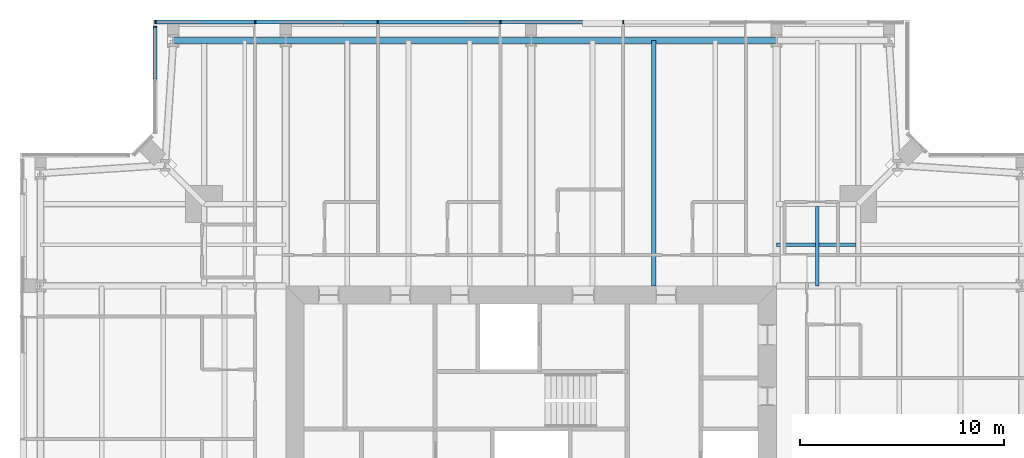
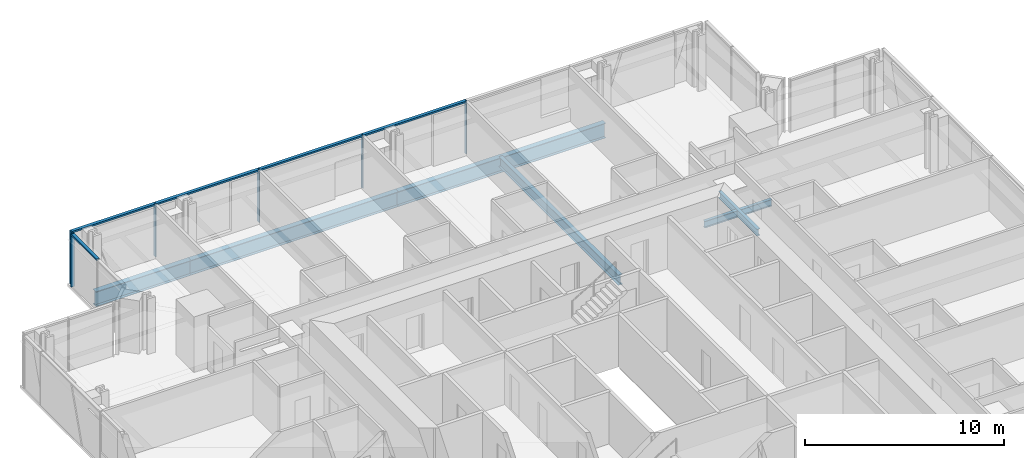
# One storey, part 8 of 20: 11 members, 7 beams, 2 elements without a shape of their own.
"""IFC4 building model written with IfcOpenShell, lengths in metres."""

from ifc_helpers import new_model, si_unit, direction, frame, origin, origin_2d, place, context, subcontext, project, spatial, rectangle, i_section, extrude, material, material_profile, profile_set, type_object, element, aggregate, save


model = new_model("IFC4")

# Units and contexts
model_context = context("Model", 3, precision=1e-05, world=origin(), true_north=direction((0.0, 1.0)))
body_context = subcontext(model_context, "Body", "Model", "MODEL_VIEW")
ifc_project = project(units=[si_unit("LENGTHUNIT", "METRE"), si_unit("AREAUNIT", "SQUARE_METRE"), si_unit("VOLUMEUNIT", "CUBIC_METRE"), si_unit("PLANEANGLEUNIT", "RADIAN"), si_unit("MASSUNIT", "GRAM", prefix="KILO")], contexts=[model_context])

# Site, building, storey
site_placement = place(None, origin())
site = spatial("IfcSite", under=ifc_project, at=site_placement, CompositionType="ELEMENT")
building_placement = place(site_placement, origin())
building = spatial("IfcBuilding", under=site, at=building_placement, Name="Fenwick Lantern Interchange", CompositionType="ELEMENT")
storey_placement = place(building_placement, frame((0.0, 0.0, 245.800048828125)))
storey = spatial("IfcBuildingStorey", under=building, at=storey_placement, Name="L57", CompositionType="ELEMENT", Elevation=245.800048828125)

# Beams
ifc_material_1 = material(Name="Steel ASTM A992 Grade 50", Category="steel")
ifc_material_profile_1 = material_profile(ifc_material_1, i_section(OverallWidth=0.3046875, OverallDepth=0.911865234375, WebThickness=0.015869140625, FlangeThickness=0.02392578125, at=origin_2d()), Name="W36X150")
ifc_profile_set_1 = profile_set([ifc_material_profile_1], Name="Steel ASTM A992 Grade 50")
beam_type_1 = type_object("IfcBeamType", Name="EDGE BEAM W36X150", PredefinedType="SPANDREL", material=ifc_profile_set_1)
for number, where, z_axis, x_axis, name in (
    (1, (37.0, 49.0, -0.60595703125), (-1.0, 0.0, 0.0), (0.0, -1.0, 0.0), "L57/FR/N/EB2"),
    (2, (25.0, 49.0, -0.60595703125), (-1.0, 0.0, 0.0), (0.0, -1.0, 0.0), "L57/FR/N/EB3"),
):
    element("IfcBeam", number, at=place(storey_placement, frame(where, z_axis=z_axis, x_axis=x_axis)), inside=storey, type_object=beam_type_1, Name=name, PredefinedType="SPANDREL", context=body_context, shape_type="SweptSolid", body=[
        extrude(i_section(OverallWidth=0.3046875, OverallDepth=0.911865234375, WebThickness=0.015869140625, FlangeThickness=0.02392578125, at=origin_2d()), origin(), (0.0, 0.0, 1.0), 12.0),
    ])
beam_1_placement = place(storey_placement, frame((13.0, 49.0, -0.60595703125), z_axis=(-1.0, 0.0, 0.0), x_axis=(0.0, -1.0, 0.0)))
element("IfcBeam", 3, at=beam_1_placement, inside=storey, type_object=beam_type_1, Name="L57/FR/N/EB4", PredefinedType="SPANDREL", context=body_context, shape_type="SweptSolid", body=[
    extrude(i_section(OverallWidth=0.3046875, OverallDepth=0.911865234375, WebThickness=0.015869140625, FlangeThickness=0.02392578125, at=origin_2d()), origin(), (0.0, 0.0, 1.0), 5.5),
])
ifc_material_profile_2 = material_profile(ifc_material_1, i_section(OverallWidth=0.22900390625, OverallDepth=0.612060546875, WebThickness=0.011962890625, FlangeThickness=0.01953125, at=origin_2d()), Name="W24X84")
ifc_profile_set_2 = profile_set([ifc_material_profile_2], Name="Steel ASTM A992 Grade 50")
beam_type_2 = type_object("IfcBeamType", Name="FLOOR BEAM W24X84", PredefinedType="BEAM", material=ifc_profile_set_2)
beam_2_placement = place(storey_placement, frame((31.0, 49.0, -0.4560546875), z_axis=(0.0, -1.0, 0.0), x_axis=(1.0, 0.0, 0.0)))
element("IfcBeam", 4, at=beam_2_placement, inside=storey, type_object=beam_type_2, Name="L57/FR/N/R03", PredefinedType="BEAM", context=body_context, shape_type="SweptSolid", body=[
    extrude(i_section(OverallWidth=0.22900390625, OverallDepth=0.612060546875, WebThickness=0.011962890625, FlangeThickness=0.01953125, at=origin_2d()), origin(), (0.0, 0.0, 1.0), 12.0),
])

# Curtain wall, members
ifc_material_2 = material(Name="Aluminium curtain wall frame", Category="aluminium")
curtain_wall_type = type_object("IfcCurtainWallType", Name="HOTEL CURTAIN WALL", PredefinedType="USERDEFINED", material=ifc_material_2)
curtain_wall_1_placement = place(storey_placement, origin())
curtain_wall_1 = element("IfcCurtainWall", 5, at=curtain_wall_1_placement, inside=storey, type_object=curtain_wall_type, Name="Hotel curtain wall 09", ObjectType="HOTEL CURTAIN WALL", PredefinedType="USERDEFINED")
ifc_material_3 = material(Name="Aluminium extrusion", Category="aluminium")
ifc_material_profile_3 = material_profile(ifc_material_3, rectangle(XDim=0.179931640625, YDim=0.06005859375, at=origin_2d()), Name="HOTEL CURTAIN WALL MULLION 60 X 180")
ifc_profile_set_3 = profile_set([ifc_material_profile_3], Name="Aluminium extrusion")
member_type_1 = type_object("IfcMemberType", Name="HOTEL CURTAIN WALL MULLION 60 X 180", PredefinedType="MULLION", material=ifc_profile_set_3)
member_1_placement = place(storey_placement, frame((29.5, 49.89990234375, 0.0), z_axis=(0.0, 0.0, 1.0), x_axis=(0.0, -1.0, 0.0)))
member_1 = element("IfcMember", 6, at=member_1_placement, type_object=member_type_1, Name="L57/CW/09/M03", PredefinedType="MULLION", context=body_context, shape_type="SweptSolid", body=[
    extrude(rectangle(XDim=0.179931640625, YDim=0.06005859375, at=origin_2d()), origin(), (0.0, 0.0, 1.0), 3.25),
])
member_2_placement = place(storey_placement, frame((23.5, 49.89990234375, 0.0), z_axis=(0.0, 0.0, 1.0), x_axis=(0.0, -1.0, 0.0)))
member_2 = element("IfcMember", 7, at=member_2_placement, type_object=member_type_1, Name="L57/CW/09/M04", PredefinedType="MULLION", context=body_context, shape_type="SweptSolid", body=[
    extrude(rectangle(XDim=0.179931640625, YDim=0.06005859375, at=origin_2d()), origin(), (0.0, 0.0, 1.0), 3.25),
])
member_3_placement = place(storey_placement, frame((17.5, 49.89990234375, 0.0), z_axis=(0.0, 0.0, 1.0), x_axis=(0.0, -1.0, 0.0)))
member_3 = element("IfcMember", 8, at=member_3_placement, type_object=member_type_1, Name="L57/CW/09/M05", PredefinedType="MULLION", context=body_context, shape_type="SweptSolid", body=[
    extrude(rectangle(XDim=0.179931640625, YDim=0.06005859375, at=origin_2d()), origin(), (0.0, 0.0, 1.0), 3.25),
])
member_4_placement = place(storey_placement, frame((11.5, 49.89990234375, 0.0), z_axis=(0.0, 0.0, 1.0), x_axis=(0.0, -1.0, 0.0)))
member_4 = element("IfcMember", 9, at=member_4_placement, type_object=member_type_1, Name="L57/CW/09/M06", PredefinedType="MULLION", context=body_context, shape_type="SweptSolid", body=[
    extrude(rectangle(XDim=0.179931640625, YDim=0.06005859375, at=origin_2d()), origin(), (0.0, 0.0, 1.0), 3.25),
])
member_5_placement = place(storey_placement, frame((6.6298828125, 49.89990234375, 0.0), z_axis=(0.0, 0.0, 1.0), x_axis=(0.0, -1.0, 0.0)))
member_5 = element("IfcMember", 10, at=member_5_placement, type_object=member_type_1, Name="L57/CW/09/M07", PredefinedType="MULLION", context=body_context, shape_type="SweptSolid", body=[
    extrude(rectangle(XDim=0.179931640625, YDim=0.06005859375, at=origin_2d()), origin(), (0.0, 0.0, 1.0), 3.25),
])

# Curtain wall, member
curtain_wall_2_placement = place(storey_placement, origin())
curtain_wall_2 = element("IfcCurtainWall", 11, at=curtain_wall_2_placement, inside=storey, type_object=curtain_wall_type, Name="Hotel curtain wall 10", ObjectType="HOTEL CURTAIN WALL", PredefinedType="USERDEFINED")
member_6_placement = place(storey_placement, frame((6.60009765625, 49.669921875, 0.0), z_axis=(0.0, 0.0, 1.0), x_axis=(1.0, 0.0, 0.0)))
member_6 = element("IfcMember", 12, at=member_6_placement, type_object=member_type_1, Name="L57/CW/10/M00", PredefinedType="MULLION", context=body_context, shape_type="SweptSolid", body=[
    extrude(rectangle(XDim=0.179931640625, YDim=0.06005859375, at=origin_2d()), origin(), (0.0, 0.0, 1.0), 3.25),
])

# Member
ifc_material_profile_4 = material_profile(ifc_material_3, rectangle(XDim=0.179931640625, YDim=0.10009765625, at=origin_2d()), Name="HOTEL CURTAIN WALL TRANSOM 100 X 180")
ifc_profile_set_4 = profile_set([ifc_material_profile_4], Name="Aluminium extrusion")
member_type_2 = type_object("IfcMemberType", Name="HOTEL CURTAIN WALL TRANSOM 100 X 180", PredefinedType="MULLION", material=ifc_profile_set_4)
member_7_placement = place(storey_placement, frame((29.469970703125, 49.89990234375, 3.199951171875), z_axis=(-1.0, 0.0, 0.0), x_axis=(0.0, -1.0, 0.0)))
member_7 = element("IfcMember", 13, at=member_7_placement, type_object=member_type_2, Name="L57/CW/09/T03", PredefinedType="MULLION", context=body_context, shape_type="SweptSolid", body=[
    extrude(rectangle(XDim=0.179931640625, YDim=0.10009765625, at=origin_2d()), origin(), (0.0, 0.0, 1.0), 5.93994140625),
])

member_8_placement = place(storey_placement, frame((23.469970703125, 49.89990234375, 3.199951171875), z_axis=(-1.0, 0.0, 0.0), x_axis=(0.0, -1.0, 0.0)))
member_8 = element("IfcMember", 14, at=member_8_placement, type_object=member_type_2, Name="L57/CW/09/T04", PredefinedType="MULLION", context=body_context, shape_type="SweptSolid", body=[
    extrude(rectangle(XDim=0.179931640625, YDim=0.10009765625, at=origin_2d()), origin(), (0.0, 0.0, 1.0), 5.93994140625),
])

member_9_placement = place(storey_placement, frame((17.469970703125, 49.89990234375, 3.199951171875), z_axis=(-1.0, 0.0, 0.0), x_axis=(0.0, -1.0, 0.0)))
member_9 = element("IfcMember", 15, at=member_9_placement, type_object=member_type_2, Name="L57/CW/09/T05", PredefinedType="MULLION", context=body_context, shape_type="SweptSolid", body=[
    extrude(rectangle(XDim=0.179931640625, YDim=0.10009765625, at=origin_2d()), origin(), (0.0, 0.0, 1.0), 5.93994140625),
])

member_10_placement = place(storey_placement, frame((11.469970703125, 49.89990234375, 3.199951171875), z_axis=(-1.0, 0.0, 0.0), x_axis=(0.0, -1.0, 0.0)))
member_10 = element("IfcMember", 16, at=member_10_placement, type_object=member_type_2, Name="L57/CW/09/T06", PredefinedType="MULLION", context=body_context, shape_type="SweptSolid", body=[
    extrude(rectangle(XDim=0.179931640625, YDim=0.10009765625, at=origin_2d()), origin(), (0.0, 0.0, 1.0), 4.81005859375),
])

aggregate(curtain_wall_1, [member_1, member_2, member_3, member_4, member_5, member_7, member_8, member_9, member_10])

member_11_placement = place(storey_placement, frame((6.60009765625, 49.639892578125, 3.199951171875), z_axis=(0.0, -1.0, 0.0), x_axis=(1.0, 0.0, 0.0)))
member_11 = element("IfcMember", 17, at=member_11_placement, type_object=member_type_2, Name="L57/CW/10/T00", PredefinedType="MULLION", context=body_context, shape_type="SweptSolid", body=[
    extrude(rectangle(XDim=0.179931640625, YDim=0.10009765625, at=origin_2d()), origin(), (0.0, 0.0, 1.0), 2.530517578125),
])

aggregate(curtain_wall_2, [member_6, member_11])

# Beams
ifc_material_profile_5 = material_profile(ifc_material_1, i_section(OverallWidth=0.177734375, OverallDepth=0.406494140625, WebThickness=0.0078125, FlangeThickness=0.012939453125, at=origin_2d()), Name="W16X40")
ifc_profile_set_5 = profile_set([ifc_material_profile_5], Name="Steel ASTM A992 Grade 50")
beam_type_3 = type_object("IfcBeamType", Name="INFILL BEAM W16X40", PredefinedType="JOIST", material=ifc_profile_set_5)
beam_3_placement = place(storey_placement, frame((39.0, 40.885498046875, -0.353271484375), z_axis=(0.0, -1.0, 0.0), x_axis=(1.0, 0.0, 0.0)))
element("IfcBeam", 18, at=beam_3_placement, inside=storey, type_object=beam_type_3, Name="L57/FR/N/J2", PredefinedType="JOIST", context=body_context, shape_type="SweptSolid", body=[
    extrude(i_section(OverallWidth=0.177734375, OverallDepth=0.406494140625, WebThickness=0.0078125, FlangeThickness=0.012939453125, at=origin_2d()), origin(), (0.0, 0.0, 1.0), 3.885498046875),
])
beam_4_placement = place(storey_placement, frame((40.885498046875, 39.0, -0.353271484375), z_axis=(-1.0, 0.0, 0.0), x_axis=(0.0, -1.0, 0.0)))
element("IfcBeam", 19, at=beam_4_placement, inside=storey, type_object=beam_type_3, Name="L57/FR/N/J4", PredefinedType="JOIST", context=body_context, shape_type="SweptSolid", body=[
    extrude(i_section(OverallWidth=0.177734375, OverallDepth=0.406494140625, WebThickness=0.0078125, FlangeThickness=0.012939453125, at=origin_2d()), origin(), (0.0, 0.0, 1.0), 1.796630859375),
])
beam_5_placement = place(storey_placement, frame((38.9111328125, 39.0, -0.353271484375), z_axis=(-1.0, 0.0, 0.0), x_axis=(0.0, -1.0, 0.0)))
element("IfcBeam", 20, at=beam_5_placement, inside=storey, type_object=beam_type_3, Name="L57/FR/N/J5", PredefinedType="JOIST", context=body_context, shape_type="SweptSolid", body=[
    extrude(i_section(OverallWidth=0.177734375, OverallDepth=0.406494140625, WebThickness=0.0078125, FlangeThickness=0.012939453125, at=origin_2d()), origin(), (0.0, 0.0, 1.0), 1.9111328125),
])

save(model, "model.ifc")
